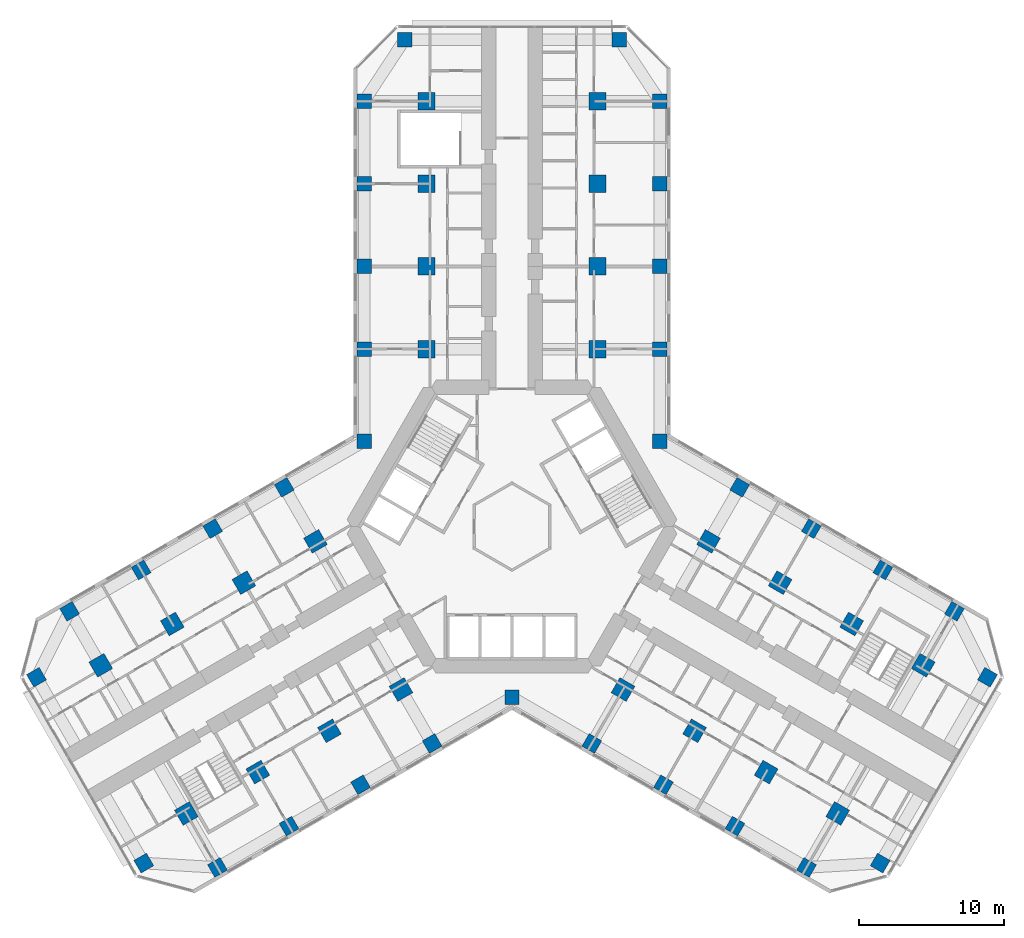
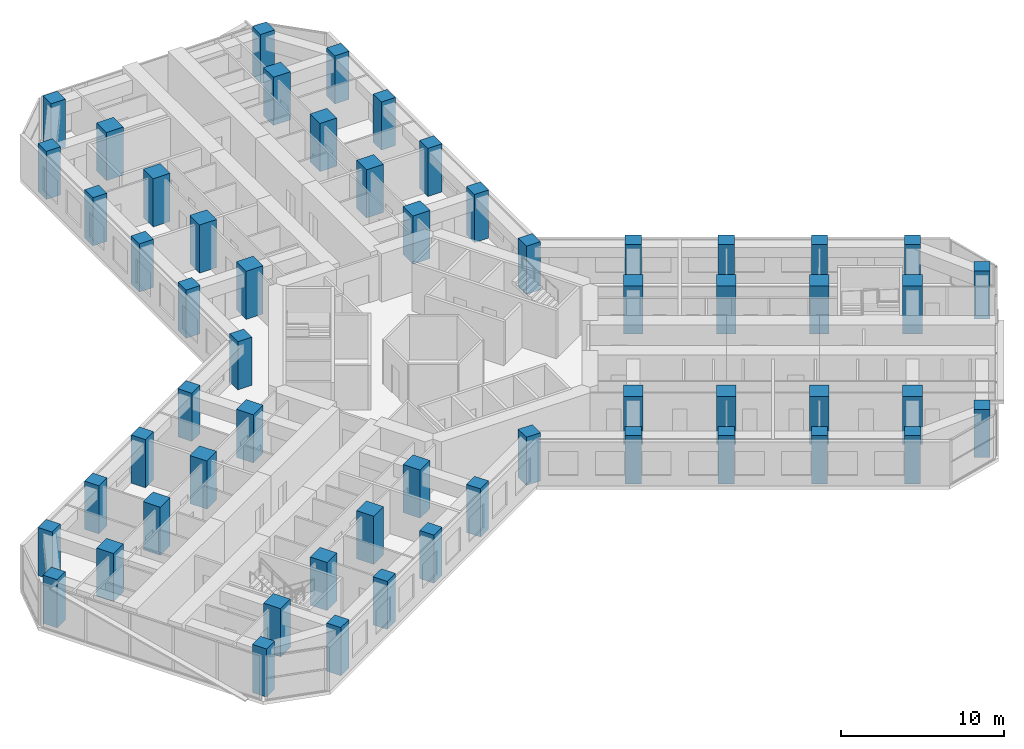
# One storey, part 1 of 21: 57 columns.
"""IFC4 building model written with IfcOpenShell, lengths in metres."""

from ifc_helpers import new_model, si_unit, direction, frame, origin, origin_2d, place, context, subcontext, project, spatial, rectangle, extrude, material, material_profile, profile_set, type_object, element, save


model = new_model("IFC4")

# Units and contexts
model_context = context("Model", 3, precision=1e-05, world=origin(), true_north=direction((0.0, 1.0)))
body_context = subcontext(model_context, "Body", "Model", "MODEL_VIEW")
ifc_project = project(units=[si_unit("LENGTHUNIT", "METRE"), si_unit("AREAUNIT", "SQUARE_METRE"), si_unit("VOLUMEUNIT", "CUBIC_METRE"), si_unit("PLANEANGLEUNIT", "RADIAN"), si_unit("MASSUNIT", "GRAM", prefix="KILO")], contexts=[model_context])

# Site, building, storey
site_placement = place(None, origin())
site = spatial("IfcSite", under=ifc_project, at=site_placement, CompositionType="ELEMENT")
building_placement = place(site_placement, origin())
building = spatial("IfcBuilding", under=site, at=building_placement, Name="Kosmar Iwan School Tower", CompositionType="ELEMENT")
storey_placement = place(building_placement, frame((0.0, 0.0, 109.60009765625)))
storey = spatial("IfcBuildingStorey", under=building, at=storey_placement, Name="L27", CompositionType="ELEMENT", Elevation=109.60009765625)

# Columns
ifc_material_1 = material(Name="Concrete C50/60", Category="concrete")
ifc_material_profile_1 = material_profile(ifc_material_1, rectangle(XDim=1.0, YDim=1.0, at=origin_2d()), Name="RC 1000x1000 + HD 400x634")
ifc_profile_set_1 = profile_set([ifc_material_profile_1], Name="Concrete C50/60")
column_type_1 = type_object("IfcColumnType", Name="Composite column 1000x1000 HD 400x634", PredefinedType="COLUMN", material=ifc_profile_set_1)
for number, where, z_axis, x_axis, name in (
    (1, (-10.199951171875, 12.25, 0.0), (0.0, 0.0, 1.0), (0.0, 1.0, 0.0), "Column AL1 L27"),
    (2, (-10.199951171875, 17.949951171875, 0.0), (0.0, 0.0, 1.0), (0.0, 1.0, 0.0), "Column AL2 L27"),
    (3, (-10.199951171875, 23.64990234375, 0.0), (0.0, 0.0, 1.0), (0.0, 1.0, 0.0), "Column AL3 L27"),
    (4, (-10.199951171875, 29.35009765625, 0.0), (0.0, 0.0, 1.0), (0.0, 1.0, 0.0), "Column AL4 L27"),
    (5, (-7.39990234375, 33.60009765625, 0.0), (0.0, 0.0, 1.0), (0.0, 1.0, 0.0), "Column ALTIP L27"),
    (6, (10.199951171875, 12.25, 0.0), (0.0, 0.0, 1.0), (0.0, 1.0, 0.0), "Column AR1 L27"),
    (7, (10.199951171875, 17.949951171875, 0.0), (0.0, 0.0, 1.0), (0.0, 1.0, 0.0), "Column AR2 L27"),
    (8, (10.199951171875, 23.64990234375, 0.0), (0.0, 0.0, 1.0), (0.0, 1.0, 0.0), "Column AR3 L27"),
    (9, (10.199951171875, 29.35009765625, 0.0), (0.0, 0.0, 1.0), (0.0, 1.0, 0.0), "Column AR4 L27"),
    (10, (7.39990234375, 33.60009765625, 0.0), (0.0, 0.0, 1.0), (0.0, 1.0, 0.0), "Column ARTIP L27"),
    (11, (-5.5087890625, -14.95849609375, 0.0), (0.0, 0.0, 1.0), (-0.866025403784, -0.5, 0.0), "Column BL1 L27"),
    (12, (-10.445068359375, -17.808349609375, 0.0), (0.0, 0.0, 1.0), (-0.866025403784, -0.5, 0.0), "Column BL2 L27"),
    (13, (-15.381591796875, -20.658447265625, 0.0), (0.0, 0.0, 1.0), (-0.866025403784, -0.5, 0.0), "Column BL3 L27"),
    (14, (-20.31787109375, -23.508544921875, 0.0), (0.0, 0.0, 1.0), (-0.866025403784, -0.5, 0.0), "Column BL4 L27"),
    (15, (-25.3984375, -23.20849609375, 0.0), (0.0, 0.0, 1.0), (-0.866025403784, -0.5, 0.0), "Column BLTIP L27"),
    (16, (-15.708740234375, 2.70849609375, 0.0), (0.0, 0.0, 1.0), (-0.866025403784, -0.5, 0.0), "Column BR1 L27"),
    (17, (-20.645263671875, -0.1416015625, 0.0), (0.0, 0.0, 1.0), (-0.866025403784, -0.5, 0.0), "Column BR2 L27"),
    (18, (-25.58154296875, -2.991455078125, 0.0), (0.0, 0.0, 1.0), (-0.866025403784, -0.5, 0.0), "Column BR3 L27"),
    (19, (-30.517822265625, -5.841552734375, 0.0), (0.0, 0.0, 1.0), (-0.866025403784, -0.5, 0.0), "Column BR4 L27"),
    (20, (-32.79833984375, -10.391357421875, 0.0), (0.0, 0.0, 1.0), (-0.866025403784, -0.5, 0.0), "Column BRTIP L27"),
    (21, (15.708740234375, 2.70849609375, 0.0), (0.0, 0.0, 1.0), (0.866025403784, -0.5, 0.0), "Column CL1 L27"),
    (22, (20.645263671875, -0.1416015625, 0.0), (0.0, 0.0, 1.0), (0.866025403784, -0.5, 0.0), "Column CL2 L27"),
    (23, (25.58154296875, -2.991455078125, 0.0), (0.0, 0.0, 1.0), (0.866025403784, -0.5, 0.0), "Column CL3 L27"),
    (24, (30.517822265625, -5.841552734375, 0.0), (0.0, 0.0, 1.0), (0.866025403784, -0.5, 0.0), "Column CL4 L27"),
    (25, (32.79833984375, -10.391357421875, 0.0), (0.0, 0.0, 1.0), (0.866025403784, -0.5, 0.0), "Column CLTIP L27"),
    (26, (5.5087890625, -14.95849609375, 0.0), (0.0, 0.0, 1.0), (0.866025403784, -0.5, 0.0), "Column CR1 L27"),
    (27, (10.445068359375, -17.808349609375, 0.0), (0.0, 0.0, 1.0), (0.866025403784, -0.5, 0.0), "Column CR2 L27"),
    (28, (15.381591796875, -20.658447265625, 0.0), (0.0, 0.0, 1.0), (0.866025403784, -0.5, 0.0), "Column CR3 L27"),
    (29, (20.31787109375, -23.508544921875, 0.0), (0.0, 0.0, 1.0), (0.866025403784, -0.5, 0.0), "Column CR4 L27"),
    (30, (25.3984375, -23.20849609375, 0.0), (0.0, 0.0, 1.0), (0.866025403784, -0.5, 0.0), "Column CRTIP L27"),
    (31, (-10.199951171875, 5.888916015625, 0.0), (0.0, 0.0, 1.0), (1.0, 0.0, 0.0), "Column RAB L27"),
    (32, (10.199951171875, 5.888916015625, 0.0), (0.0, 0.0, 1.0), (1.0, 0.0, 0.0), "Column RAC L27"),
    (33, (0.0, -11.77783203125, 0.0), (0.0, 0.0, 1.0), (1.0, 0.0, 0.0), "Column RBC L27"),
):
    element("IfcColumn", number, at=place(storey_placement, frame(where, z_axis=z_axis, x_axis=x_axis)), inside=storey, type_object=column_type_1, Name=name, PredefinedType="COLUMN", context=body_context, shape_type="SweptSolid", body=[
        extrude(rectangle(XDim=1.0, YDim=1.0, at=origin_2d()), origin(), (0.0, 0.0, 1.0), 3.599853515625),
    ])
ifc_material_2 = material(Name="Concrete C50/60", Category="concrete")
ifc_material_profile_2 = material_profile(ifc_material_2, rectangle(XDim=1.199951171875, YDim=1.199951171875, at=origin_2d()), Name="RC 1200x1200")
ifc_profile_set_2 = profile_set([ifc_material_profile_2], Name="Concrete C50/60")
column_type_2 = type_object("IfcColumnType", Name="RC interior column 1200x1200", PredefinedType="COLUMN", material=ifc_profile_set_2)
for number, where, z_axis, x_axis, name in (
    (34, (-5.89990234375, 12.25, 0.0), (0.0, 0.0, 1.0), (0.0, 1.0, 0.0), "Interior column ALI1 L27"),
    (35, (-5.89990234375, 17.949951171875, 0.0), (0.0, 0.0, 1.0), (0.0, 1.0, 0.0), "Interior column ALI2 L27"),
    (36, (-5.89990234375, 23.64990234375, 0.0), (0.0, 0.0, 1.0), (0.0, 1.0, 0.0), "Interior column ALI3 L27"),
    (37, (-5.89990234375, 29.35009765625, 0.0), (0.0, 0.0, 1.0), (0.0, 1.0, 0.0), "Interior column ALI4 L27"),
    (38, (5.89990234375, 12.25, 0.0), (0.0, 0.0, 1.0), (0.0, 1.0, 0.0), "Interior column ARI1 L27"),
    (39, (5.89990234375, 17.949951171875, 0.0), (0.0, 0.0, 1.0), (0.0, 1.0, 0.0), "Interior column ARI2 L27"),
    (40, (5.89990234375, 23.64990234375, 0.0), (0.0, 0.0, 1.0), (0.0, 1.0, 0.0), "Interior column ARI3 L27"),
    (41, (5.89990234375, 29.35009765625, 0.0), (0.0, 0.0, 1.0), (0.0, 1.0, 0.0), "Interior column ARI4 L27"),
    (42, (-7.65869140625, -11.234619140625, 0.0), (0.0, 0.0, 1.0), (-0.866025403784, -0.5, 0.0), "Interior column BLI1 L27"),
    (43, (-12.59521484375, -14.08447265625, 0.0), (0.0, 0.0, 1.0), (-0.866025403784, -0.5, 0.0), "Interior column BLI2 L27"),
    (44, (-17.531494140625, -16.9345703125, 0.0), (0.0, 0.0, 1.0), (-0.866025403784, -0.5, 0.0), "Interior column BLI3 L27"),
    (45, (-22.4677734375, -19.78466796875, 0.0), (0.0, 0.0, 1.0), (-0.866025403784, -0.5, 0.0), "Interior column BLI4 L27"),
    (46, (-13.558837890625, -1.015380859375, 0.0), (0.0, 0.0, 1.0), (-0.866025403784, -0.5, 0.0), "Interior column BRI1 L27"),
    (47, (-18.4951171875, -3.865478515625, 0.0), (0.0, 0.0, 1.0), (-0.866025403784, -0.5, 0.0), "Interior column BRI2 L27"),
    (48, (-23.431396484375, -6.71533203125, 0.0), (0.0, 0.0, 1.0), (-0.866025403784, -0.5, 0.0), "Interior column BRI3 L27"),
    (49, (-28.367919921875, -9.5654296875, 0.0), (0.0, 0.0, 1.0), (-0.866025403784, -0.5, 0.0), "Interior column BRI4 L27"),
    (50, (13.558837890625, -1.015380859375, 0.0), (0.0, 0.0, 1.0), (0.866025403784, -0.5, 0.0), "Interior column CLI1 L27"),
    (51, (18.4951171875, -3.865478515625, 0.0), (0.0, 0.0, 1.0), (0.866025403784, -0.5, 0.0), "Interior column CLI2 L27"),
    (52, (23.431396484375, -6.71533203125, 0.0), (0.0, 0.0, 1.0), (0.866025403784, -0.5, 0.0), "Interior column CLI3 L27"),
    (53, (28.367919921875, -9.5654296875, 0.0), (0.0, 0.0, 1.0), (0.866025403784, -0.5, 0.0), "Interior column CLI4 L27"),
    (54, (7.65869140625, -11.234619140625, 0.0), (0.0, 0.0, 1.0), (0.866025403784, -0.5, 0.0), "Interior column CRI1 L27"),
    (55, (12.59521484375, -14.08447265625, 0.0), (0.0, 0.0, 1.0), (0.866025403784, -0.5, 0.0), "Interior column CRI2 L27"),
    (56, (17.531494140625, -16.9345703125, 0.0), (0.0, 0.0, 1.0), (0.866025403784, -0.5, 0.0), "Interior column CRI3 L27"),
    (57, (22.4677734375, -19.78466796875, 0.0), (0.0, 0.0, 1.0), (0.866025403784, -0.5, 0.0), "Interior column CRI4 L27"),
):
    element("IfcColumn", number, at=place(storey_placement, frame(where, z_axis=z_axis, x_axis=x_axis)), inside=storey, type_object=column_type_2, Name=name, PredefinedType="COLUMN", context=body_context, shape_type="SweptSolid", body=[
        extrude(rectangle(XDim=1.199951171875, YDim=1.199951171875, at=origin_2d()), origin(), (0.0, 0.0, 1.0), 3.599853515625),
    ])

save(model, "model.ifc")
